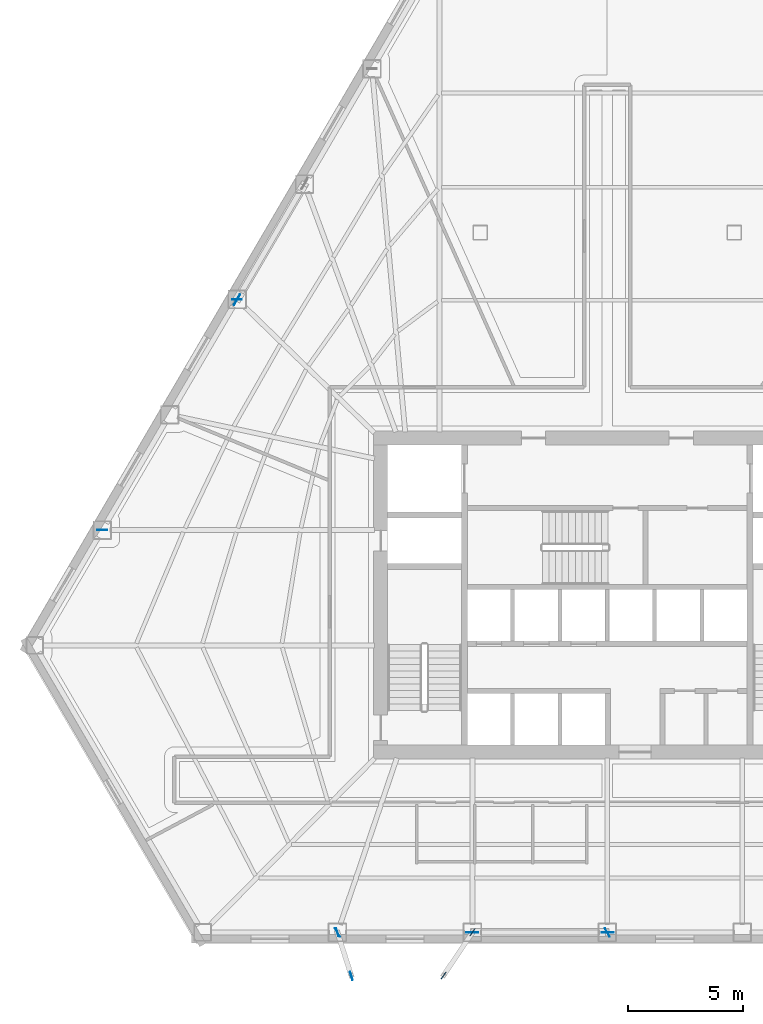
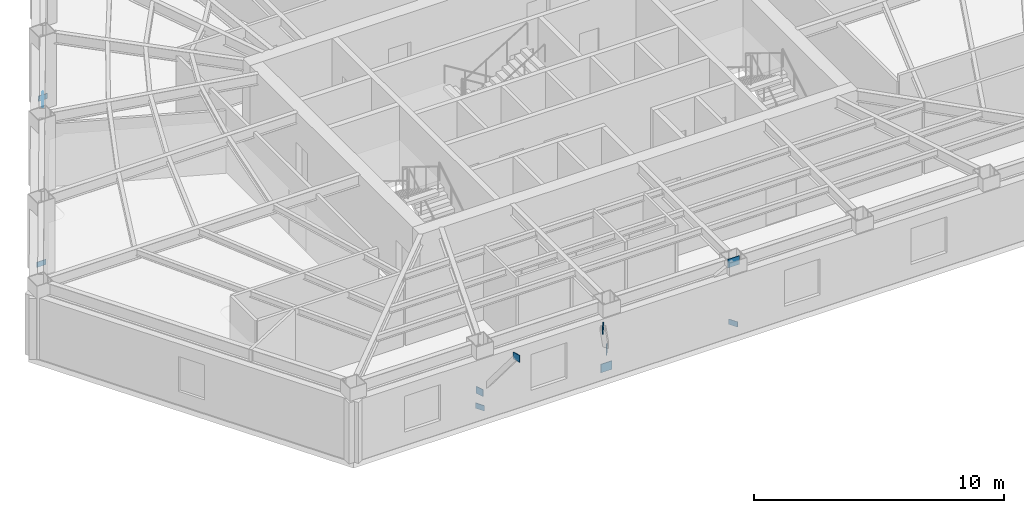
# One storey, part 4 of 13: 11 plates.
"""IFC4 building model written with IfcOpenShell, lengths in metres."""

from ifc_helpers import new_model, si_unit, direction, frame, origin, origin_2d, place, context, subcontext, project, spatial, rectangle, extrude, material, layer, layer_set, type_object, element, save


model = new_model("IFC4")

# Units and contexts
model_context = context("Model", 3, precision=1e-05, world=origin(), true_north=direction((0.0, 1.0)))
body_context = subcontext(model_context, "Body", "Model", "MODEL_VIEW")
ifc_project = project(units=[si_unit("LENGTHUNIT", "METRE"), si_unit("AREAUNIT", "SQUARE_METRE"), si_unit("VOLUMEUNIT", "CUBIC_METRE"), si_unit("PLANEANGLEUNIT", "RADIAN"), si_unit("MASSUNIT", "GRAM", prefix="KILO")], contexts=[model_context])

# Site, building, storey
site_placement = place(None, origin())
site = spatial("IfcSite", under=ifc_project, at=site_placement, CompositionType="ELEMENT")
building_placement = place(site_placement, origin())
building = spatial("IfcBuilding", under=site, at=building_placement, Name="Kavelnor Concourse Tower", CompositionType="ELEMENT")
storey_placement = place(building_placement, frame((0.0, 0.0, 59.89990234375)))
storey = spatial("IfcBuildingStorey", under=building, at=storey_placement, Name="L15", CompositionType="ELEMENT", Elevation=59.89990234375)

# Plates
ifc_material = material(Name="Steel Grade 350", Category="steel")
ifc_layer_1 = layer(ifc_material, 0.028076171875, Name="Steel Grade 350")
ifc_layer_set_1 = layer_set([ifc_layer_1], Name="Steel Grade 350")
plate_type_1 = type_object("IfcPlateType", Name="PL-GUSSET-FOLD", PredefinedType="USERDEFINED", material=ifc_layer_set_1)
for number, where, z_axis, x_axis, name in (
    (1, (26.308349609375, 1.493896484375, 0.8798828125), (0.0, 0.0, 1.0), (0.304864299028, -0.952395799643, 0.0), "L15 Balcony Strut Gusset GP4 1-A End Gusset A"),
    (2, (26.91455078125, -0.400390625, 3.48486328125), (0.0, 0.0, 1.0), (0.304864299028, -0.952395799643, 0.0), "L15 Balcony Strut Gusset GP4 1-A End Gusset B"),
    (3, (32.16259765625, 1.492431640625, 0.8798828125), (0.0, 0.0, 1.0), (-0.555860436814, -0.831275631055, 0.0), "L15 Balcony Strut Gusset GP4 1-B End Gusset A"),
    (4, (30.904296875, -0.389404296875, 3.48486328125), (0.0, 0.0, 1.0), (-0.555860436814, -0.831275631055, 0.0), "L15 Balcony Strut Gusset GP4 1-B End Gusset B"),
):
    element("IfcPlate", number, at=place(storey_placement, frame(where, z_axis=z_axis, x_axis=x_axis)), inside=storey, type_object=plate_type_1, Name=name, ObjectType="GUSSET_PLATE", PredefinedType="USERDEFINED", context=body_context, shape_type="SweptSolid", body=[
        extrude(rectangle(XDim=0.360107421875, YDim=0.028076171875, at=origin_2d()), origin(), (0.0, 0.0, 1.0), 0.340087890625),
    ])
ifc_layer_2 = layer(ifc_material, 0.031982421875, Name="Steel Grade 350")
ifc_layer_set_2 = layer_set([ifc_layer_2], Name="Steel Grade 350")
plate_type_2 = type_object("IfcPlateType", Name="PL-GUSSET-TUBE-Z1", PredefinedType="USERDEFINED", material=ifc_layer_set_2)
for number, where, z_axis, x_axis, name in (
    (5, (21.957275390625, 28.893798828125, 0.01025390625), (0.0, 0.0, 1.0), (0.504678307081, 0.863307480775, 0.0), "L15 Tube Brace Gusset GP3 F0-B2 End Gusset A"),
    (6, (32.14404296875, 1.482421875, 0.01025390625), (0.0, 0.0, 1.0), (1.0, 0.0, 0.0), "L15 Tube Brace Gusset GP3 F1-B2 End Gusset A"),
    (7, (38.011962890625, 1.482421875, 3.07421875), (0.0, 0.0, 1.0), (1.0, 0.0, 0.0), "L15 Tube Brace Gusset GP3 F1-B2 End Gusset B"),
):
    element("IfcPlate", number, at=place(storey_placement, frame(where, z_axis=z_axis, x_axis=x_axis)), inside=storey, type_object=plate_type_2, Name=name, ObjectType="GUSSET_PLATE", PredefinedType="USERDEFINED", context=body_context, shape_type="SweptSolid", body=[
        extrude(rectangle(XDim=0.52001953125, YDim=0.031982421875, at=origin_2d()), origin(), (0.0, 0.0, 1.0), 0.419921875),
    ])
ifc_layer_3 = layer(ifc_material, 0.02490234375, Name="Steel Grade 350")
ifc_layer_set_3 = layer_set([ifc_layer_3], Name="Steel Grade 350")
plate_type_3 = type_object("IfcPlateType", Name="PL-SPLICE-FLANGE", PredefinedType="SHEET", material=ifc_layer_set_3)
for number, where, z_axis, x_axis, name in (
    (8, (21.96337890625, 28.904296875, 0.169921875), (0.0, 0.0, 1.0), (1.0, 0.0, 0.0), "L15 Column Flange Splice Plate F0-B3"),
    (9, (16.12109375, 18.910888671875, 0.169921875), (0.0, 0.0, 1.0), (1.0, 0.0, 0.0), "L15 Column Flange Splice Plate F0-B5"),
    (10, (26.31201171875, 1.482421875, 0.169921875), (0.0, 0.0, 1.0), (-0.5, 0.866025403784, 0.0), "L15 Column Flange Splice Plate F1-B1"),
    (11, (38.0, 1.482421875, 0.169921875), (0.0, 0.0, 1.0), (-0.5, 0.866025403784, 0.0), "L15 Column Flange Splice Plate F1-B3"),
):
    element("IfcPlate", number, at=place(storey_placement, frame(where, z_axis=z_axis, x_axis=x_axis)), inside=storey, type_object=plate_type_3, Name=name, PredefinedType="SHEET", context=body_context, shape_type="SweptSolid", body=[
        extrude(rectangle(XDim=0.419921875, YDim=0.02490234375, at=origin_2d()), origin(), (0.0, 0.0, 1.0), 0.260009765625),
    ])

save(model, "model.ifc")
